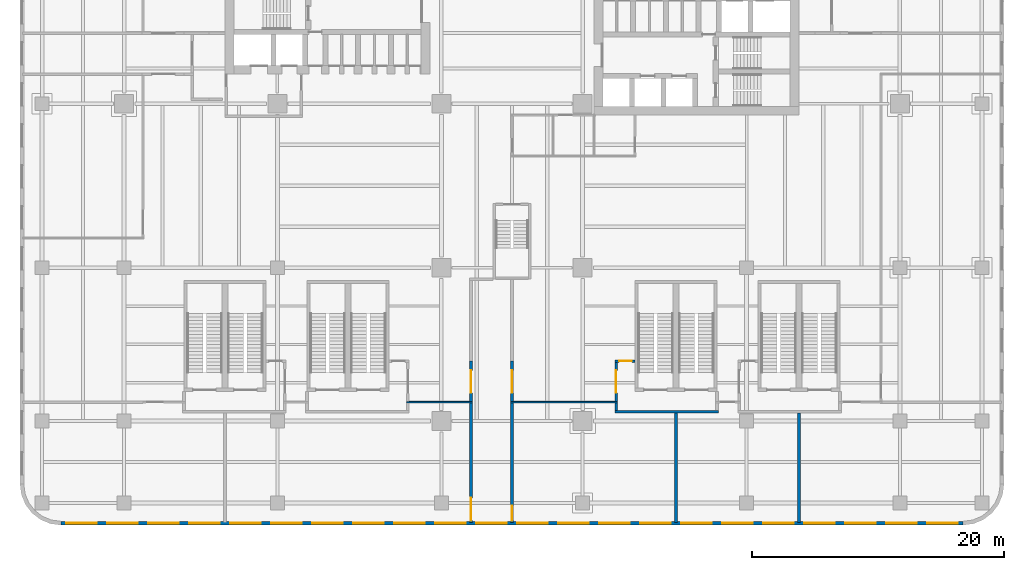
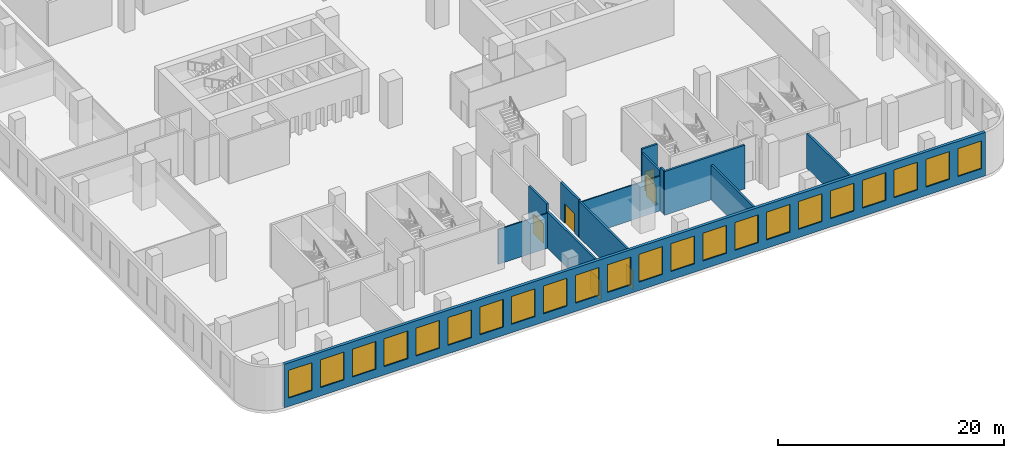
# One storey, part 6 of 17: 22 windows, 13 walls, 6 doors, 28 openings.
"""IFC4 building model written with IfcOpenShell, lengths in metres."""

from ifc_helpers import new_model, si_unit, direction, frame, frame_2d, origin, place, context, subcontext, project, spatial, rectangle, extrude, source, transform, mapped, material, layer, layer_set, type_object, element, fill, save


model = new_model("IFC4")

# Units and contexts
model_context = context("Model", 3, precision=1e-05, world=origin(), true_north=direction((0.0, 1.0)))
body_context = subcontext(model_context, "Body", "Model", "MODEL_VIEW")
ifc_project = project(units=[si_unit("LENGTHUNIT", "METRE"), si_unit("AREAUNIT", "SQUARE_METRE"), si_unit("VOLUMEUNIT", "CUBIC_METRE"), si_unit("PLANEANGLEUNIT", "RADIAN"), si_unit("MASSUNIT", "GRAM", prefix="KILO")], contexts=[model_context])

# Site, building, storey
site_placement = place(None, origin())
site = spatial("IfcSite", under=ifc_project, at=site_placement, CompositionType="ELEMENT")
building_placement = place(site_placement, origin())
building = spatial("IfcBuilding", under=site, at=building_placement, Name="Trellis Farm Tower", CompositionType="ELEMENT")
storey_placement = place(building_placement, frame((0.0, 0.0, 19.0)))
storey = spatial("IfcBuildingStorey", under=building, at=storey_placement, Name="L03", CompositionType="ELEMENT", Elevation=19.0)

# Wall, openings, windows
ifc_material_1 = material(Name="Sandstone faced insulated wall", Category="masonry")
ifc_layer_1 = layer(ifc_material_1, 0.300048828125)
ifc_layer_set_1 = layer_set([ifc_layer_1], Name="STONE CLAD EXTERNAL WALL 300")
wall_type_1 = type_object("IfcWallType", Name="STONE CLAD EXTERNAL WALL 300", PredefinedType="SOLIDWALL", material=ifc_layer_set_1)
shared_shape_1 = source(origin(), body_context, "Body", "SweptSolid", [
    extrude(rectangle(XDim=71.5, YDim=0.300048828125, at=frame_2d((35.75, 0.0))), origin(), (0.0, 0.0, 1.0), 4.699951171875),
])
wall_1_placement = place(storey_placement, frame((-35.75, -38.85009765625, 0.0), z_axis=(0.0, 0.0, 1.0), x_axis=(1.0, 0.0, 0.0)))
wall_1 = element("IfcWall", 1, at=wall_1_placement, inside=storey, type_object=wall_type_1, Name="EW2 F04", PredefinedType="SOLIDWALL", context=body_context, shape_type="MappedRepresentation", body=[
    mapped(shared_shape_1, transform((0.0, 0.0, 0.0))),
])
shared_shape_2 = source(origin(), body_context, "Body", "SweptSolid", [
    extrude(rectangle(XDim=2.39990234375, YDim=3.0, at=frame_2d((1.199951171875, 1.5))), frame((0.0, 0.16015625, 0.0), z_axis=(0.0, -1.0, 0.0), x_axis=(1.0, 0.0, 0.0)), (0.0, 0.0, 1.0), 0.3203125),
])
opening_1_placement = place(wall_1_placement, frame((0.425048828125, 0.0, 0.89990234375)))
opening_1 = element("IfcOpeningElement", 2, at=opening_1_placement, cuts=wall_1, Name="Opening WN1", PredefinedType="OPENING", context=body_context, shape_type="MappedRepresentation", body=[
    mapped(shared_shape_2, transform((0.0, 0.0, 0.0))),
])
opening_2_placement = place(wall_1_placement, frame((3.675048828125, 0.0, 0.89990234375)))
opening_2 = element("IfcOpeningElement", 3, at=opening_2_placement, cuts=wall_1, Name="Opening WN1", PredefinedType="OPENING", context=body_context, shape_type="MappedRepresentation", body=[
    mapped(shared_shape_2, transform((0.0, 0.0, 0.0))),
])
opening_3_placement = place(wall_1_placement, frame((6.925048828125, 0.0, 0.89990234375)))
opening_3 = element("IfcOpeningElement", 4, at=opening_3_placement, cuts=wall_1, Name="Opening WN1", PredefinedType="OPENING", context=body_context, shape_type="MappedRepresentation", body=[
    mapped(shared_shape_2, transform((0.0, 0.0, 0.0))),
])
opening_4_placement = place(wall_1_placement, frame((10.175048828125, 0.0, 0.89990234375)))
opening_4 = element("IfcOpeningElement", 5, at=opening_4_placement, cuts=wall_1, Name="Opening WN1", PredefinedType="OPENING", context=body_context, shape_type="MappedRepresentation", body=[
    mapped(shared_shape_2, transform((0.0, 0.0, 0.0))),
])
opening_5_placement = place(wall_1_placement, frame((13.425048828125, 0.0, 0.89990234375)))
opening_5 = element("IfcOpeningElement", 6, at=opening_5_placement, cuts=wall_1, Name="Opening WN1", PredefinedType="OPENING", context=body_context, shape_type="MappedRepresentation", body=[
    mapped(shared_shape_2, transform((0.0, 0.0, 0.0))),
])
opening_6_placement = place(wall_1_placement, frame((16.675048828125, 0.0, 0.89990234375)))
opening_6 = element("IfcOpeningElement", 7, at=opening_6_placement, cuts=wall_1, Name="Opening WN1", PredefinedType="OPENING", context=body_context, shape_type="MappedRepresentation", body=[
    mapped(shared_shape_2, transform((0.0, 0.0, 0.0))),
])
opening_7_placement = place(wall_1_placement, frame((19.925048828125, 0.0, 0.89990234375)))
opening_7 = element("IfcOpeningElement", 8, at=opening_7_placement, cuts=wall_1, Name="Opening WN1", PredefinedType="OPENING", context=body_context, shape_type="MappedRepresentation", body=[
    mapped(shared_shape_2, transform((0.0, 0.0, 0.0))),
])
opening_8_placement = place(wall_1_placement, frame((23.175048828125, 0.0, 0.89990234375)))
opening_8 = element("IfcOpeningElement", 9, at=opening_8_placement, cuts=wall_1, Name="Opening WN1", PredefinedType="OPENING", context=body_context, shape_type="MappedRepresentation", body=[
    mapped(shared_shape_2, transform((0.0, 0.0, 0.0))),
])
opening_9_placement = place(wall_1_placement, frame((26.425048828125, 0.0, 0.89990234375)))
opening_9 = element("IfcOpeningElement", 10, at=opening_9_placement, cuts=wall_1, Name="Opening WN1", PredefinedType="OPENING", context=body_context, shape_type="MappedRepresentation", body=[
    mapped(shared_shape_2, transform((0.0, 0.0, 0.0))),
])
opening_10_placement = place(wall_1_placement, frame((29.675048828125, 0.0, 0.89990234375)))
opening_10 = element("IfcOpeningElement", 11, at=opening_10_placement, cuts=wall_1, Name="Opening WN1", PredefinedType="OPENING", context=body_context, shape_type="MappedRepresentation", body=[
    mapped(shared_shape_2, transform((0.0, 0.0, 0.0))),
])
opening_11_placement = place(wall_1_placement, frame((32.925048828125, 0.0, 0.89990234375)))
opening_11 = element("IfcOpeningElement", 12, at=opening_11_placement, cuts=wall_1, Name="Opening WN1", PredefinedType="OPENING", context=body_context, shape_type="MappedRepresentation", body=[
    mapped(shared_shape_2, transform((0.0, 0.0, 0.0))),
])
opening_12_placement = place(wall_1_placement, frame((36.175048828125, 0.0, 0.89990234375)))
opening_12 = element("IfcOpeningElement", 13, at=opening_12_placement, cuts=wall_1, Name="Opening WN1", PredefinedType="OPENING", context=body_context, shape_type="MappedRepresentation", body=[
    mapped(shared_shape_2, transform((0.0, 0.0, 0.0))),
])
opening_13_placement = place(wall_1_placement, frame((39.425048828125, 0.0, 0.89990234375)))
opening_13 = element("IfcOpeningElement", 14, at=opening_13_placement, cuts=wall_1, Name="Opening WN1", PredefinedType="OPENING", context=body_context, shape_type="MappedRepresentation", body=[
    mapped(shared_shape_2, transform((0.0, 0.0, 0.0))),
])
opening_14_placement = place(wall_1_placement, frame((42.675048828125, 0.0, 0.89990234375)))
opening_14 = element("IfcOpeningElement", 15, at=opening_14_placement, cuts=wall_1, Name="Opening WN1", PredefinedType="OPENING", context=body_context, shape_type="MappedRepresentation", body=[
    mapped(shared_shape_2, transform((0.0, 0.0, 0.0))),
])
opening_15_placement = place(wall_1_placement, frame((45.925048828125, 0.0, 0.89990234375)))
opening_15 = element("IfcOpeningElement", 16, at=opening_15_placement, cuts=wall_1, Name="Opening WN1", PredefinedType="OPENING", context=body_context, shape_type="MappedRepresentation", body=[
    mapped(shared_shape_2, transform((0.0, 0.0, 0.0))),
])
opening_16_placement = place(wall_1_placement, frame((49.175048828125, 0.0, 0.89990234375)))
opening_16 = element("IfcOpeningElement", 17, at=opening_16_placement, cuts=wall_1, Name="Opening WN1", PredefinedType="OPENING", context=body_context, shape_type="MappedRepresentation", body=[
    mapped(shared_shape_2, transform((0.0, 0.0, 0.0))),
])
opening_17_placement = place(wall_1_placement, frame((52.425048828125, 0.0, 0.89990234375)))
opening_17 = element("IfcOpeningElement", 18, at=opening_17_placement, cuts=wall_1, Name="Opening WN1", PredefinedType="OPENING", context=body_context, shape_type="MappedRepresentation", body=[
    mapped(shared_shape_2, transform((0.0, 0.0, 0.0))),
])
opening_18_placement = place(wall_1_placement, frame((55.675048828125, 0.0, 0.89990234375)))
opening_18 = element("IfcOpeningElement", 19, at=opening_18_placement, cuts=wall_1, Name="Opening WN1", PredefinedType="OPENING", context=body_context, shape_type="MappedRepresentation", body=[
    mapped(shared_shape_2, transform((0.0, 0.0, 0.0))),
])
opening_19_placement = place(wall_1_placement, frame((58.925048828125, 0.0, 0.89990234375)))
opening_19 = element("IfcOpeningElement", 20, at=opening_19_placement, cuts=wall_1, Name="Opening WN1", PredefinedType="OPENING", context=body_context, shape_type="MappedRepresentation", body=[
    mapped(shared_shape_2, transform((0.0, 0.0, 0.0))),
])
opening_20_placement = place(wall_1_placement, frame((62.175048828125, 0.0, 0.89990234375)))
opening_20 = element("IfcOpeningElement", 21, at=opening_20_placement, cuts=wall_1, Name="Opening WN1", PredefinedType="OPENING", context=body_context, shape_type="MappedRepresentation", body=[
    mapped(shared_shape_2, transform((0.0, 0.0, 0.0))),
])
opening_21_placement = place(wall_1_placement, frame((65.425048828125, 0.0, 0.89990234375)))
opening_21 = element("IfcOpeningElement", 22, at=opening_21_placement, cuts=wall_1, Name="Opening WN1", PredefinedType="OPENING", context=body_context, shape_type="MappedRepresentation", body=[
    mapped(shared_shape_2, transform((0.0, 0.0, 0.0))),
])
opening_22_placement = place(wall_1_placement, frame((68.675048828125, 0.0, 0.89990234375)))
opening_22 = element("IfcOpeningElement", 23, at=opening_22_placement, cuts=wall_1, Name="Opening WN1", PredefinedType="OPENING", context=body_context, shape_type="MappedRepresentation", body=[
    mapped(shared_shape_2, transform((0.0, 0.0, 0.0))),
])
ifc_material_2 = material(Name="Clear insulated glass", Category="glass")
window_type = type_object("IfcWindowType", Name="PODIUM WINDOW 2400x3000", PartitioningType="SINGLE_PANEL", PredefinedType="WINDOW", material=ifc_material_2)
shared_shape_3 = source(origin(), body_context, "Body", "SweptSolid", [
    extrude(rectangle(XDim=2.39990234375, YDim=3.0, at=frame_2d((1.199951171875, 1.5))), frame((0.0, 0.030029296875, 0.0), z_axis=(0.0, -1.0, 0.0), x_axis=(1.0, 0.0, 0.0)), (0.0, 0.0, 1.0), 0.06005859375),
])
window_1_placement = place(opening_1_placement, origin())
window_1 = element("IfcWindow", 24, at=window_1_placement, inside=storey, type_object=window_type, Name="WN1 067", OverallHeight=3.0, OverallWidth=2.39990234375, PartitioningType="SINGLE_PANEL", PredefinedType="WINDOW", context=body_context, shape_type="MappedRepresentation", body=[
    mapped(shared_shape_3, transform((0.0, 0.0, 0.0))),
])
fill(opening_1, window_1)
window_2_placement = place(opening_2_placement, origin())
window_2 = element("IfcWindow", 25, at=window_2_placement, inside=storey, type_object=window_type, Name="WN1 068", OverallHeight=3.0, OverallWidth=2.39990234375, PartitioningType="SINGLE_PANEL", PredefinedType="WINDOW", context=body_context, shape_type="MappedRepresentation", body=[
    mapped(shared_shape_3, transform((0.0, 0.0, 0.0))),
])
fill(opening_2, window_2)
window_3_placement = place(opening_3_placement, origin())
window_3 = element("IfcWindow", 26, at=window_3_placement, inside=storey, type_object=window_type, Name="WN1 069", OverallHeight=3.0, OverallWidth=2.39990234375, PartitioningType="SINGLE_PANEL", PredefinedType="WINDOW", context=body_context, shape_type="MappedRepresentation", body=[
    mapped(shared_shape_3, transform((0.0, 0.0, 0.0))),
])
fill(opening_3, window_3)
window_4_placement = place(opening_4_placement, origin())
window_4 = element("IfcWindow", 27, at=window_4_placement, inside=storey, type_object=window_type, Name="WN1 070", OverallHeight=3.0, OverallWidth=2.39990234375, PartitioningType="SINGLE_PANEL", PredefinedType="WINDOW", context=body_context, shape_type="MappedRepresentation", body=[
    mapped(shared_shape_3, transform((0.0, 0.0, 0.0))),
])
fill(opening_4, window_4)
window_5_placement = place(opening_5_placement, origin())
window_5 = element("IfcWindow", 28, at=window_5_placement, inside=storey, type_object=window_type, Name="WN1 071", OverallHeight=3.0, OverallWidth=2.39990234375, PartitioningType="SINGLE_PANEL", PredefinedType="WINDOW", context=body_context, shape_type="MappedRepresentation", body=[
    mapped(shared_shape_3, transform((0.0, 0.0, 0.0))),
])
fill(opening_5, window_5)
window_6_placement = place(opening_6_placement, origin())
window_6 = element("IfcWindow", 29, at=window_6_placement, inside=storey, type_object=window_type, Name="WN1 072", OverallHeight=3.0, OverallWidth=2.39990234375, PartitioningType="SINGLE_PANEL", PredefinedType="WINDOW", context=body_context, shape_type="MappedRepresentation", body=[
    mapped(shared_shape_3, transform((0.0, 0.0, 0.0))),
])
fill(opening_6, window_6)
window_7_placement = place(opening_7_placement, origin())
window_7 = element("IfcWindow", 30, at=window_7_placement, inside=storey, type_object=window_type, Name="WN1 073", OverallHeight=3.0, OverallWidth=2.39990234375, PartitioningType="SINGLE_PANEL", PredefinedType="WINDOW", context=body_context, shape_type="MappedRepresentation", body=[
    mapped(shared_shape_3, transform((0.0, 0.0, 0.0))),
])
fill(opening_7, window_7)
window_8_placement = place(opening_8_placement, origin())
window_8 = element("IfcWindow", 31, at=window_8_placement, inside=storey, type_object=window_type, Name="WN1 074", OverallHeight=3.0, OverallWidth=2.39990234375, PartitioningType="SINGLE_PANEL", PredefinedType="WINDOW", context=body_context, shape_type="MappedRepresentation", body=[
    mapped(shared_shape_3, transform((0.0, 0.0, 0.0))),
])
fill(opening_8, window_8)
window_9_placement = place(opening_9_placement, origin())
window_9 = element("IfcWindow", 32, at=window_9_placement, inside=storey, type_object=window_type, Name="WN1 075", OverallHeight=3.0, OverallWidth=2.39990234375, PartitioningType="SINGLE_PANEL", PredefinedType="WINDOW", context=body_context, shape_type="MappedRepresentation", body=[
    mapped(shared_shape_3, transform((0.0, 0.0, 0.0))),
])
fill(opening_9, window_9)
window_10_placement = place(opening_10_placement, origin())
window_10 = element("IfcWindow", 33, at=window_10_placement, inside=storey, type_object=window_type, Name="WN1 076", OverallHeight=3.0, OverallWidth=2.39990234375, PartitioningType="SINGLE_PANEL", PredefinedType="WINDOW", context=body_context, shape_type="MappedRepresentation", body=[
    mapped(shared_shape_3, transform((0.0, 0.0, 0.0))),
])
fill(opening_10, window_10)
window_11_placement = place(opening_11_placement, origin())
window_11 = element("IfcWindow", 34, at=window_11_placement, inside=storey, type_object=window_type, Name="WN1 077", OverallHeight=3.0, OverallWidth=2.39990234375, PartitioningType="SINGLE_PANEL", PredefinedType="WINDOW", context=body_context, shape_type="MappedRepresentation", body=[
    mapped(shared_shape_3, transform((0.0, 0.0, 0.0))),
])
fill(opening_11, window_11)
window_12_placement = place(opening_12_placement, origin())
window_12 = element("IfcWindow", 35, at=window_12_placement, inside=storey, type_object=window_type, Name="WN1 078", OverallHeight=3.0, OverallWidth=2.39990234375, PartitioningType="SINGLE_PANEL", PredefinedType="WINDOW", context=body_context, shape_type="MappedRepresentation", body=[
    mapped(shared_shape_3, transform((0.0, 0.0, 0.0))),
])
fill(opening_12, window_12)
window_13_placement = place(opening_13_placement, origin())
window_13 = element("IfcWindow", 36, at=window_13_placement, inside=storey, type_object=window_type, Name="WN1 079", OverallHeight=3.0, OverallWidth=2.39990234375, PartitioningType="SINGLE_PANEL", PredefinedType="WINDOW", context=body_context, shape_type="MappedRepresentation", body=[
    mapped(shared_shape_3, transform((0.0, 0.0, 0.0))),
])
fill(opening_13, window_13)
window_14_placement = place(opening_14_placement, origin())
window_14 = element("IfcWindow", 37, at=window_14_placement, inside=storey, type_object=window_type, Name="WN1 080", OverallHeight=3.0, OverallWidth=2.39990234375, PartitioningType="SINGLE_PANEL", PredefinedType="WINDOW", context=body_context, shape_type="MappedRepresentation", body=[
    mapped(shared_shape_3, transform((0.0, 0.0, 0.0))),
])
fill(opening_14, window_14)
window_15_placement = place(opening_15_placement, origin())
window_15 = element("IfcWindow", 38, at=window_15_placement, inside=storey, type_object=window_type, Name="WN1 081", OverallHeight=3.0, OverallWidth=2.39990234375, PartitioningType="SINGLE_PANEL", PredefinedType="WINDOW", context=body_context, shape_type="MappedRepresentation", body=[
    mapped(shared_shape_3, transform((0.0, 0.0, 0.0))),
])
fill(opening_15, window_15)
window_16_placement = place(opening_16_placement, origin())
window_16 = element("IfcWindow", 39, at=window_16_placement, inside=storey, type_object=window_type, Name="WN1 082", OverallHeight=3.0, OverallWidth=2.39990234375, PartitioningType="SINGLE_PANEL", PredefinedType="WINDOW", context=body_context, shape_type="MappedRepresentation", body=[
    mapped(shared_shape_3, transform((0.0, 0.0, 0.0))),
])
fill(opening_16, window_16)
window_17_placement = place(opening_17_placement, origin())
window_17 = element("IfcWindow", 40, at=window_17_placement, inside=storey, type_object=window_type, Name="WN1 083", OverallHeight=3.0, OverallWidth=2.39990234375, PartitioningType="SINGLE_PANEL", PredefinedType="WINDOW", context=body_context, shape_type="MappedRepresentation", body=[
    mapped(shared_shape_3, transform((0.0, 0.0, 0.0))),
])
fill(opening_17, window_17)
window_18_placement = place(opening_18_placement, origin())
window_18 = element("IfcWindow", 41, at=window_18_placement, inside=storey, type_object=window_type, Name="WN1 084", OverallHeight=3.0, OverallWidth=2.39990234375, PartitioningType="SINGLE_PANEL", PredefinedType="WINDOW", context=body_context, shape_type="MappedRepresentation", body=[
    mapped(shared_shape_3, transform((0.0, 0.0, 0.0))),
])
fill(opening_18, window_18)
window_19_placement = place(opening_19_placement, origin())
window_19 = element("IfcWindow", 42, at=window_19_placement, inside=storey, type_object=window_type, Name="WN1 085", OverallHeight=3.0, OverallWidth=2.39990234375, PartitioningType="SINGLE_PANEL", PredefinedType="WINDOW", context=body_context, shape_type="MappedRepresentation", body=[
    mapped(shared_shape_3, transform((0.0, 0.0, 0.0))),
])
fill(opening_19, window_19)
window_20_placement = place(opening_20_placement, origin())
window_20 = element("IfcWindow", 43, at=window_20_placement, inside=storey, type_object=window_type, Name="WN1 086", OverallHeight=3.0, OverallWidth=2.39990234375, PartitioningType="SINGLE_PANEL", PredefinedType="WINDOW", context=body_context, shape_type="MappedRepresentation", body=[
    mapped(shared_shape_3, transform((0.0, 0.0, 0.0))),
])
fill(opening_20, window_20)
window_21_placement = place(opening_21_placement, origin())
window_21 = element("IfcWindow", 44, at=window_21_placement, inside=storey, type_object=window_type, Name="WN1 087", OverallHeight=3.0, OverallWidth=2.39990234375, PartitioningType="SINGLE_PANEL", PredefinedType="WINDOW", context=body_context, shape_type="MappedRepresentation", body=[
    mapped(shared_shape_3, transform((0.0, 0.0, 0.0))),
])
fill(opening_21, window_21)
window_22_placement = place(opening_22_placement, origin())
window_22 = element("IfcWindow", 45, at=window_22_placement, inside=storey, type_object=window_type, Name="WN1 088", OverallHeight=3.0, OverallWidth=2.39990234375, PartitioningType="SINGLE_PANEL", PredefinedType="WINDOW", context=body_context, shape_type="MappedRepresentation", body=[
    mapped(shared_shape_3, transform((0.0, 0.0, 0.0))),
])
fill(opening_22, window_22)

# Wall
ifc_material_3 = material(Name="Lightweight blockwork, plastered", Category="masonry")
ifc_layer_2 = layer(ifc_material_3, 0.199951171875)
ifc_layer_set_2 = layer_set([ifc_layer_2], Name="BLOCK WALL 200 EI 120")
wall_type_2 = type_object("IfcWallType", Name="BLOCK WALL 200 EI 120", PredefinedType="PARTITIONING", material=ifc_layer_set_2)
shared_shape_4 = source(origin(), body_context, "Body", "SweptSolid", [
    extrude(rectangle(XDim=0.58740234375, YDim=0.199951171875, at=frame_2d((0.293701171875, 0.0))), origin(), (0.0, 0.0, 1.0), 4.699951171875),
])
wall_2_placement = place(storey_placement, frame((8.25, -29.89990234375, 0.0), z_axis=(0.0, 0.0, 1.0), x_axis=(0.0, 1.0, 0.0)))
element("IfcWall", 46, at=wall_2_placement, inside=storey, type_object=wall_type_2, Name="Partition PW3", PredefinedType="PARTITIONING", context=body_context, shape_type="MappedRepresentation", body=[
    mapped(shared_shape_4, transform((0.0, 0.0, 0.0))),
])

# Wall, opening, door
shared_shape_5 = source(origin(), body_context, "Body", "SweptSolid", [
    extrude(rectangle(XDim=3.08740234375, YDim=0.199951171875, at=frame_2d((1.543701171875, 0.0))), origin(), (0.0, 0.0, 1.0), 4.273681640625),
])
wall_3_placement = place(storey_placement, frame((8.25, -29.1875, 0.0), z_axis=(0.0, 0.0, 1.0), x_axis=(0.0, 1.0, 0.0)))
wall_3 = element("IfcWall", 47, at=wall_3_placement, inside=storey, type_object=wall_type_2, Name="Partition PW3", PredefinedType="PARTITIONING", context=body_context, shape_type="MappedRepresentation", body=[
    mapped(shared_shape_5, transform((0.0, 0.0, 0.0))),
])
shared_shape_6 = source(origin(), body_context, "Body", "SweptSolid", [
    extrude(rectangle(XDim=1.800048828125, YDim=2.10009765625, at=frame_2d((0.89990234375, 1.050048828125))), frame((0.0, 0.110107421875, 0.0), z_axis=(0.0, -1.0, 0.0), x_axis=(1.0, 0.0, 0.0)), (0.0, 0.0, 1.0), 0.22021484375),
])
opening_23_placement = place(wall_3_placement, frame((0.66259765625, 0.0, 0.0)))
opening_23 = element("IfcOpeningElement", 48, at=opening_23_placement, cuts=wall_3, Name="Opening D405", PredefinedType="OPENING", context=body_context, shape_type="MappedRepresentation", body=[
    mapped(shared_shape_6, transform((0.0, 0.0, 0.0))),
])
ifc_material_4 = material(Name="Fire-rated timber door leaf in a hollow metal frame", Category="wood")
door_type_1 = type_object("IfcDoorType", Name="DOOR PAIR 1800x2100 FD60", OperationType="NOTDEFINED", PredefinedType="DOOR", material=ifc_material_4)
shared_shape_7 = source(origin(), body_context, "Body", "SweptSolid", [
    extrude(rectangle(XDim=1.800048828125, YDim=2.10009765625, at=frame_2d((0.89990234375, 1.050048828125))), frame((0.0, 0.02490234375, 0.0), z_axis=(0.0, -1.0, 0.0), x_axis=(1.0, 0.0, 0.0)), (0.0, 0.0, 1.0), 0.050048828125),
])
door_1_placement = place(opening_23_placement, origin())
door_1 = element("IfcDoor", 49, at=door_1_placement, inside=storey, type_object=door_type_1, Name="Door D405", OperationType="DOUBLE_DOOR_SINGLE_SWING", OverallHeight=2.10009765625, OverallWidth=1.800048828125, PredefinedType="DOOR", context=body_context, shape_type="MappedRepresentation", body=[
    mapped(shared_shape_7, transform((0.0, 0.0, 0.0))),
])
fill(opening_23, door_1)

# Walls
shared_shape_8 = source(origin(), body_context, "Body", "SweptSolid", [
    extrude(rectangle(XDim=8.699951171875, YDim=0.199951171875, at=frame_2d((4.35009765625, 0.0))), origin(), (0.0, 0.0, 1.0), 3.76171875),
])
for number, where, z_axis, x_axis, name in (
    (50, (13.0, -38.800048828125, 0.0), (0.0, 0.0, 1.0), (0.0, 1.0, 0.0), "Partition PW3"),
    (51, (22.75, -38.800048828125, 0.0), (0.0, 0.0, 1.0), (0.0, 1.0, 0.0), "Partition PW3"),
):
    element("IfcWall", number, at=place(storey_placement, frame(where, z_axis=z_axis, x_axis=x_axis)), inside=storey, type_object=wall_type_2, Name=name, PredefinedType="PARTITIONING", context=body_context, shape_type="MappedRepresentation", body=[
        mapped(shared_shape_8, transform((0.0, 0.0, 0.0))),
    ])

# Wall, opening, door
shared_shape_9 = source(origin(), body_context, "Body", "SweptSolid", [
    extrude(rectangle(XDim=9.487548828125, YDim=0.199951171875, at=frame_2d((4.74365234375, 0.0))), origin(), (0.0, 0.0, 1.0), 3.917724609375),
])
wall_4_placement = place(storey_placement, frame((-3.25, -38.800048828125, 0.0), z_axis=(0.0, 0.0, 1.0), x_axis=(0.0, 1.0, 0.0)))
wall_4 = element("IfcWall", 52, at=wall_4_placement, inside=storey, type_object=wall_type_2, Name="Partition PW3", PredefinedType="PARTITIONING", context=body_context, shape_type="MappedRepresentation", body=[
    mapped(shared_shape_9, transform((0.0, 0.0, 0.0))),
])
opening_24_placement = place(wall_4_placement, frame((0.14990234375, 0.0, 0.0)))
opening_24 = element("IfcOpeningElement", 53, at=opening_24_placement, cuts=wall_4, Name="Opening D201", PredefinedType="OPENING", context=body_context, shape_type="MappedRepresentation", body=[
    mapped(shared_shape_6, transform((0.0, 0.0, 0.0))),
])
door_type_2 = type_object("IfcDoorType", Name="DOOR PAIR 1800x2100 FD30S", OperationType="NOTDEFINED", PredefinedType="DOOR", material=ifc_material_4)
door_2_placement = place(opening_24_placement, origin())
door_2 = element("IfcDoor", 54, at=door_2_placement, inside=storey, type_object=door_type_2, Name="Door D201", OperationType="DOUBLE_DOOR_SINGLE_SWING", OverallHeight=2.10009765625, OverallWidth=1.800048828125, PredefinedType="DOOR", context=body_context, shape_type="MappedRepresentation", body=[
    mapped(shared_shape_7, transform((0.0, 0.0, 0.0))),
])
fill(opening_24, door_2)

wall_5_placement = place(storey_placement, frame((0.0, -29.3125, 0.0), z_axis=(0.0, 0.0, 1.0), x_axis=(0.0, -1.0, 0.0)))
wall_5 = element("IfcWall", 55, at=wall_5_placement, inside=storey, type_object=wall_type_2, Name="Partition PW3", PredefinedType="PARTITIONING", context=body_context, shape_type="MappedRepresentation", body=[
    mapped(shared_shape_9, transform((0.0, 0.0, 0.0))),
])
shared_shape_10 = source(origin(), body_context, "Body", "SweptSolid", [
    extrude(rectangle(XDim=1.199951171875, YDim=2.10009765625, at=frame_2d((0.60009765625, 1.050048828125))), frame((0.0, 0.110107421875, 0.0), z_axis=(0.0, -1.0, 0.0), x_axis=(1.0, 0.0, 0.0)), (0.0, 0.0, 1.0), 0.22021484375),
])
opening_25_placement = place(wall_5_placement, frame((8.137451171875, 0.0, 0.0)))
opening_25 = element("IfcOpeningElement", 56, at=opening_25_placement, cuts=wall_5, Name="Opening D601", PredefinedType="OPENING", context=body_context, shape_type="MappedRepresentation", body=[
    mapped(shared_shape_10, transform((0.0, 0.0, 0.0))),
])
door_type_3 = type_object("IfcDoorType", Name="DOOR 1200x2100 FD30S", OperationType="NOTDEFINED", PredefinedType="DOOR", material=ifc_material_4)
shared_shape_11 = source(origin(), body_context, "Body", "SweptSolid", [
    extrude(rectangle(XDim=1.199951171875, YDim=2.10009765625, at=frame_2d((0.60009765625, 1.050048828125))), frame((0.0, 0.02490234375, 0.0), z_axis=(0.0, -1.0, 0.0), x_axis=(1.0, 0.0, 0.0)), (0.0, 0.0, 1.0), 0.050048828125),
])
door_3_placement = place(opening_25_placement, origin())
door_3 = element("IfcDoor", 57, at=door_3_placement, inside=storey, type_object=door_type_3, Name="Door D601", OperationType="SINGLE_SWING_RIGHT", OverallHeight=2.10009765625, OverallWidth=1.199951171875, PredefinedType="DOOR", context=body_context, shape_type="MappedRepresentation", body=[
    mapped(shared_shape_11, transform((0.0, 0.0, 0.0))),
])
fill(opening_25, door_3)

# Wall
shared_shape_12 = source(origin(), body_context, "Body", "SweptSolid", [
    extrude(rectangle(XDim=8.2001953125, YDim=0.199951171875, at=frame_2d((4.10009765625, 0.0))), origin(), (0.0, 0.0, 1.0), 4.699951171875),
])
wall_6_placement = place(storey_placement, frame((16.35009765625, -30.0, 0.0), z_axis=(0.0, 0.0, 1.0), x_axis=(-1.0, 0.0, 0.0)))
element("IfcWall", 58, at=wall_6_placement, inside=storey, type_object=wall_type_2, Name="Partition PW3", PredefinedType="PARTITIONING", context=body_context, shape_type="MappedRepresentation", body=[
    mapped(shared_shape_12, transform((0.0, 0.0, 0.0))),
])

# Wall, opening, door
shared_shape_13 = source(origin(), body_context, "Body", "SweptSolid", [
    extrude(rectangle(XDim=1.60009765625, YDim=0.199951171875, at=frame_2d((0.800048828125, 0.0))), origin(), (0.0, 0.0, 1.0), 4.699951171875),
])
wall_7_placement = place(storey_placement, frame((8.14990234375, -26.0, 0.0), z_axis=(0.0, 0.0, 1.0), x_axis=(1.0, 0.0, 0.0)))
wall_7 = element("IfcWall", 59, at=wall_7_placement, inside=storey, type_object=wall_type_2, Name="Partition PW3", PredefinedType="PARTITIONING", context=body_context, shape_type="MappedRepresentation", body=[
    mapped(shared_shape_13, transform((0.0, 0.0, 0.0))),
])
shared_shape_14 = source(origin(), body_context, "Body", "SweptSolid", [
    extrude(rectangle(XDim=1.0, YDim=2.10009765625, at=frame_2d((0.5, 1.050048828125))), frame((0.0, 0.110107421875, 0.0), z_axis=(0.0, -1.0, 0.0), x_axis=(1.0, 0.0, 0.0)), (0.0, 0.0, 1.0), 0.22021484375),
])
opening_26_placement = place(wall_7_placement, frame((0.35009765625, 0.0, 0.0)))
opening_26 = element("IfcOpeningElement", 60, at=opening_26_placement, cuts=wall_7, Name="Opening D304", PredefinedType="OPENING", context=body_context, shape_type="MappedRepresentation", body=[
    mapped(shared_shape_14, transform((0.0, 0.0, 0.0))),
])
door_type_4 = type_object("IfcDoorType", Name="DOOR 1000x2100 FD60", OperationType="NOTDEFINED", PredefinedType="DOOR", material=ifc_material_4)
shared_shape_15 = source(origin(), body_context, "Body", "SweptSolid", [
    extrude(rectangle(XDim=1.0, YDim=2.10009765625, at=frame_2d((0.5, 1.050048828125))), frame((0.0, 0.02490234375, 0.0), z_axis=(0.0, -1.0, 0.0), x_axis=(1.0, 0.0, 0.0)), (0.0, 0.0, 1.0), 0.050048828125),
])
door_4_placement = place(opening_26_placement, origin())
door_4 = element("IfcDoor", 61, at=door_4_placement, inside=storey, type_object=door_type_4, Name="Door D304", OperationType="SINGLE_SWING_LEFT", OverallHeight=2.10009765625, OverallWidth=1.0, PredefinedType="DOOR", context=body_context, shape_type="MappedRepresentation", body=[
    mapped(shared_shape_15, transform((0.0, 0.0, 0.0))),
])
fill(opening_26, door_4)

shared_shape_16 = source(origin(), body_context, "Body", "SweptSolid", [
    extrude(rectangle(XDim=3.1875, YDim=0.199951171875, at=frame_2d((1.59375, 0.0))), origin(), (0.0, 0.0, 1.0), 4.699951171875),
])
wall_8_placement = place(storey_placement, frame((-3.25, -29.1875, 0.0), z_axis=(0.0, 0.0, 1.0), x_axis=(0.0, 1.0, 0.0)))
wall_8 = element("IfcWall", 62, at=wall_8_placement, inside=storey, type_object=wall_type_2, Name="Partition PW3", PredefinedType="PARTITIONING", context=body_context, shape_type="MappedRepresentation", body=[
    mapped(shared_shape_16, transform((0.0, 0.0, 0.0))),
])
opening_27_placement = place(wall_8_placement, frame((0.66259765625, 0.0, 0.0)))
opening_27 = element("IfcOpeningElement", 63, at=opening_27_placement, cuts=wall_8, Name="Opening D403", PredefinedType="OPENING", context=body_context, shape_type="MappedRepresentation", body=[
    mapped(shared_shape_6, transform((0.0, 0.0, 0.0))),
])
door_5_placement = place(opening_27_placement, origin())
door_5 = element("IfcDoor", 64, at=door_5_placement, inside=storey, type_object=door_type_1, Name="Door D403", OperationType="DOUBLE_DOOR_SINGLE_SWING", OverallHeight=2.10009765625, OverallWidth=1.800048828125, PredefinedType="DOOR", context=body_context, shape_type="MappedRepresentation", body=[
    mapped(shared_shape_7, transform((0.0, 0.0, 0.0))),
])
fill(opening_27, door_5)

shared_shape_17 = source(origin(), body_context, "Body", "SweptSolid", [
    extrude(rectangle(XDim=3.1875, YDim=0.199951171875, at=frame_2d((1.59375, 0.0))), origin(), (0.0, 0.0, 1.0), 3.996337890625),
])
wall_9_placement = place(storey_placement, frame((0.0, -26.0, 0.0), z_axis=(0.0, 0.0, 1.0), x_axis=(0.0, -1.0, 0.0)))
wall_9 = element("IfcWall", 65, at=wall_9_placement, inside=storey, type_object=wall_type_2, Name="Partition PW3", PredefinedType="PARTITIONING", context=body_context, shape_type="MappedRepresentation", body=[
    mapped(shared_shape_17, transform((0.0, 0.0, 0.0))),
])
opening_28_placement = place(wall_9_placement, frame((0.72509765625, 0.0, 0.0)))
opening_28 = element("IfcOpeningElement", 66, at=opening_28_placement, cuts=wall_9, Name="Opening D404", PredefinedType="OPENING", context=body_context, shape_type="MappedRepresentation", body=[
    mapped(shared_shape_6, transform((0.0, 0.0, 0.0))),
])
door_6_placement = place(opening_28_placement, origin())
door_6 = element("IfcDoor", 67, at=door_6_placement, inside=storey, type_object=door_type_1, Name="Door D404", OperationType="DOUBLE_DOOR_SINGLE_SWING", OverallHeight=2.10009765625, OverallWidth=1.800048828125, PredefinedType="DOOR", context=body_context, shape_type="MappedRepresentation", body=[
    mapped(shared_shape_7, transform((0.0, 0.0, 0.0))),
])
fill(opening_28, door_6)

# Walls
ifc_material_5 = material(Name="Plasterboard on steel studs, mineral wool", Category="steel")
ifc_layer_3 = layer(ifc_material_5, 0.125)
ifc_layer_set_3 = layer_set([ifc_layer_3], Name="PARTITION 125 STUD EI 60")
wall_type_3 = type_object("IfcWallType", Name="PARTITION 125 STUD EI 60", PredefinedType="PARTITIONING", material=ifc_layer_set_3)
shared_shape_18 = source(origin(), body_context, "Body", "SweptSolid", [
    extrude(rectangle(XDim=5.2001953125, YDim=0.125, at=frame_2d((2.60009765625, 0.0))), origin(), (0.0, 0.0, 1.0), 3.76171875),
])
wall_10_placement = place(storey_placement, frame((-3.14990234375, -29.25, 0.0), z_axis=(0.0, 0.0, 1.0), x_axis=(-1.0, 0.0, 0.0)))
element("IfcWall", 68, at=wall_10_placement, inside=storey, type_object=wall_type_3, Name="Partition PW1", PredefinedType="PARTITIONING", context=body_context, shape_type="MappedRepresentation", body=[
    mapped(shared_shape_18, transform((0.0, 0.0, 0.0))),
])
shared_shape_19 = source(origin(), body_context, "Body", "SweptSolid", [
    extrude(rectangle(XDim=8.4501953125, YDim=0.125, at=frame_2d((4.22509765625, 0.0))), origin(), (0.0, 0.0, 1.0), 3.76171875),
])
wall_11_placement = place(storey_placement, frame((8.35009765625, -29.25, 0.0), z_axis=(0.0, 0.0, 1.0), x_axis=(-1.0, 0.0, 0.0)))
element("IfcWall", 69, at=wall_11_placement, inside=storey, type_object=wall_type_3, Name="Partition PW1", PredefinedType="PARTITIONING", context=body_context, shape_type="MappedRepresentation", body=[
    mapped(shared_shape_19, transform((0.0, 0.0, 0.0))),
])

save(model, "model.ifc")
